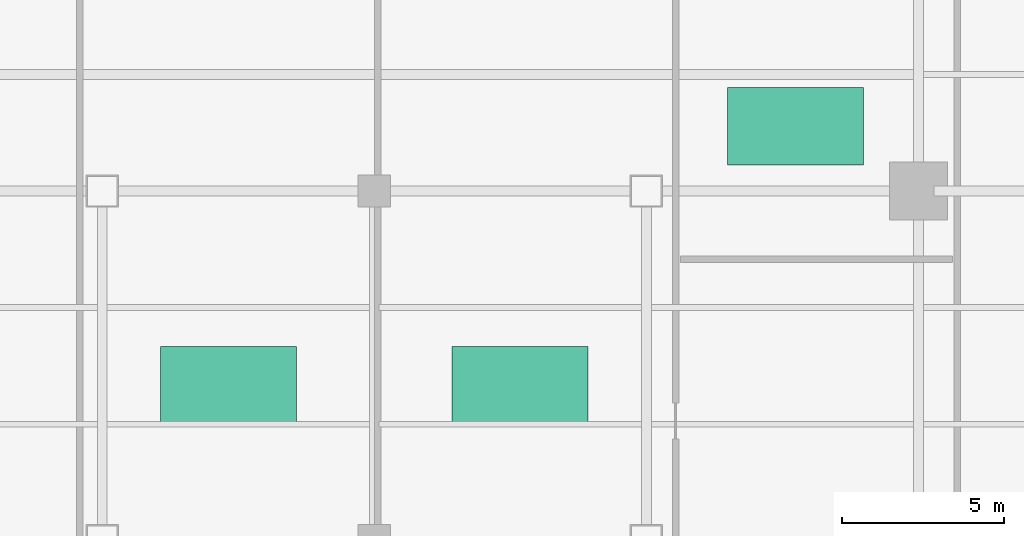
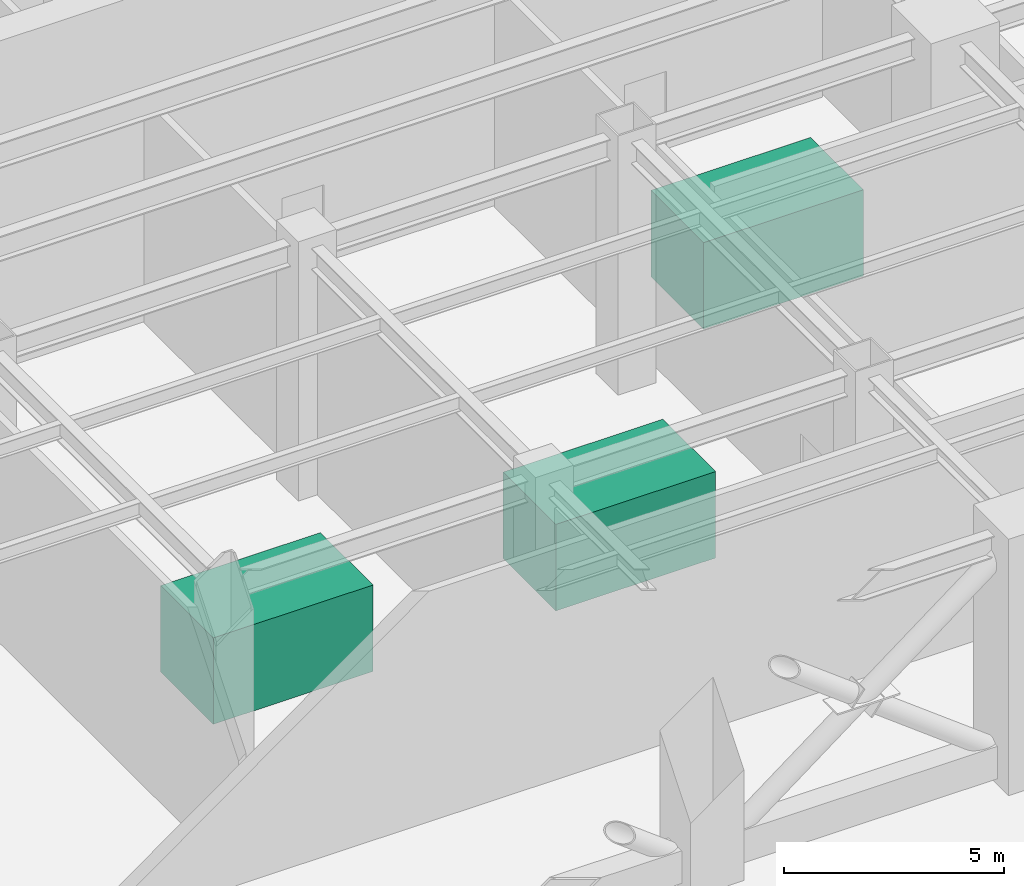
# One storey, part 10 of 10: 3 unitary equipment elements.
"""IFC4 building model written with IfcOpenShell, lengths in metres."""

from ifc_helpers import new_model, si_unit, direction, frame, origin, origin_2d, place, context, subcontext, project, spatial, rectangle, extrude, source, transform, mapped, material, type_object, element, save


model = new_model("IFC4")

# Units and contexts
model_context = context("Model", 3, precision=1e-05, world=origin(), true_north=direction((0.0, 1.0)))
body_context = subcontext(model_context, "Body", "Model", "MODEL_VIEW")
ifc_project = project(units=[si_unit("LENGTHUNIT", "METRE"), si_unit("AREAUNIT", "SQUARE_METRE"), si_unit("VOLUMEUNIT", "CUBIC_METRE"), si_unit("PLANEANGLEUNIT", "RADIAN"), si_unit("MASSUNIT", "GRAM", prefix="KILO")], contexts=[model_context])

# Site, building, storey
site_placement = place(None, origin())
site = spatial("IfcSite", under=ifc_project, at=site_placement, CompositionType="ELEMENT")
building_placement = place(site_placement, origin())
building = spatial("IfcBuilding", under=site, at=building_placement, Name="Sumidabori Civic Tower", CompositionType="ELEMENT")
storey_placement = place(building_placement, frame((0.0, 0.0, 70.39990234375)))
storey = spatial("IfcBuildingStorey", under=building, at=storey_placement, Name="L18", CompositionType="ELEMENT", Elevation=70.39990234375)

# Unitary equipment
ifc_material = material(Name="Stainless Steel Hairline Finish", Category="steel")
unitary_equipment_type = type_object("IfcUnitaryEquipmentType", Name="EQ-PLANT-1", PredefinedType="AIRHANDLER", material=ifc_material)
shared_shape = source(origin(), body_context, "Body", "SweptSolid", [
    extrude(rectangle(XDim=4.199951171875, YDim=2.39990234375, at=origin_2d()), origin(), (0.0, 0.0, 1.0), 2.39990234375),
])
for number, where, z_axis, x_axis, name in (
    (1, (-4.5, -6.0, 0.000244140625), (0.0, 0.0, 1.0), (1.0, 0.0, 0.0), "Centrifugal Chiller Unit L18-1"),
    (2, (4.5, -6.0, 0.000244140625), (0.0, 0.0, 1.0), (1.0, 0.0, 0.0), "Heat Recovery AHU L18-2"),
    (3, (13.0, 2.0, 0.000244140625), (0.0, 0.0, 1.0), (1.0, 0.0, 0.0), "Main Switchgear Cubicle L18-3"),
):
    element("IfcUnitaryEquipment", number, at=place(storey_placement, frame(where, z_axis=z_axis, x_axis=x_axis)), inside=storey, type_object=unitary_equipment_type, Name=name, PredefinedType="AIRHANDLER", context=body_context, shape_type="MappedRepresentation", body=[
        mapped(shared_shape, transform((0.0, 0.0, 0.0), x_axis=(1.0, 0.0, 0.0), y_axis=(0.0, 1.0, 0.0), z_axis=(0.0, 0.0, 1.0), scale=1.0)),
    ])

save(model, "model.ifc")
